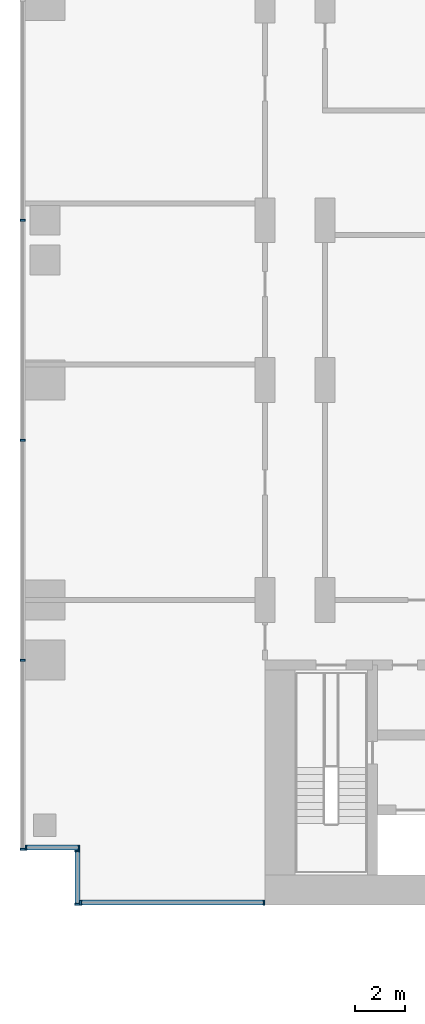
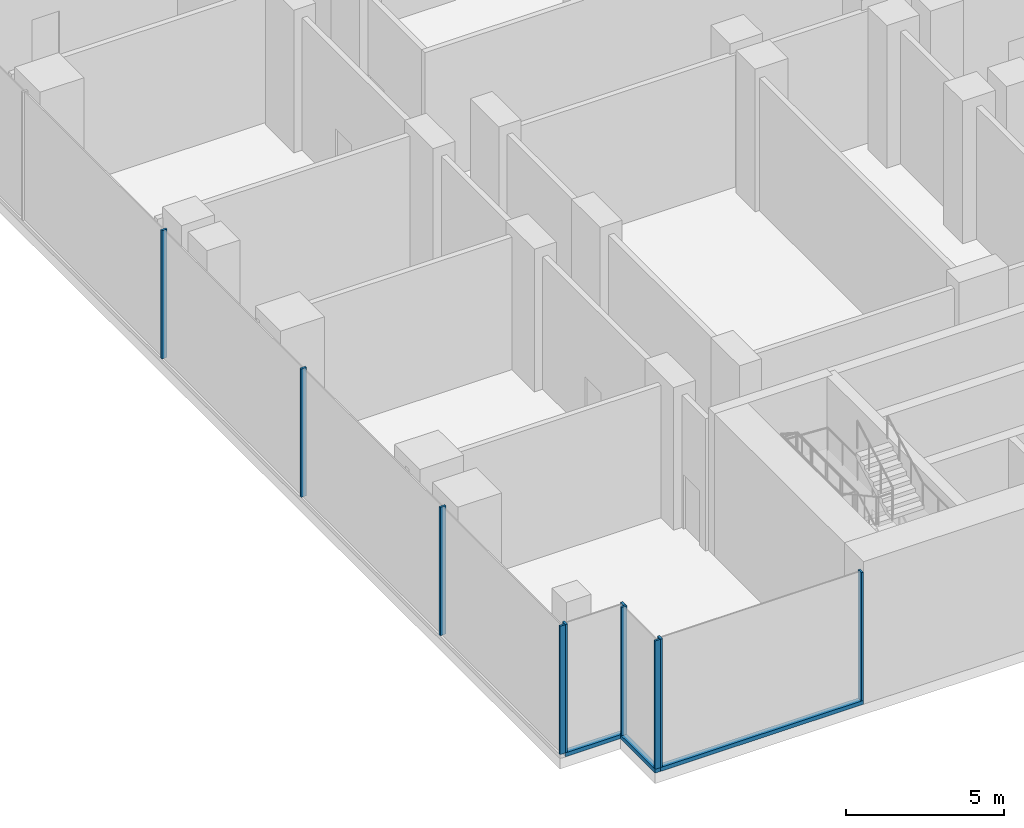
# One storey, part 2 of 30: 13 members, 4 elements without a shape of their own.
"""IFC4 building model written with IfcOpenShell, lengths in metres."""

from ifc_helpers import new_model, si_unit, direction, frame, origin, origin_2d, place, context, subcontext, project, spatial, rectangle, extrude, source, transform, mapped, material, material_profile, profile_set, type_object, element, aggregate, save


model = new_model("IFC4")

# Units and contexts
model_context = context("Model", 3, precision=1e-05, world=origin(), true_north=direction((0.0, 1.0)))
body_context = subcontext(model_context, "Body", "Model", "MODEL_VIEW")
ifc_project = project(units=[si_unit("LENGTHUNIT", "METRE"), si_unit("AREAUNIT", "SQUARE_METRE"), si_unit("VOLUMEUNIT", "CUBIC_METRE"), si_unit("PLANEANGLEUNIT", "RADIAN"), si_unit("MASSUNIT", "GRAM", prefix="KILO")], contexts=[model_context])

# Site, building, storey
site_placement = place(None, origin())
site = spatial("IfcSite", under=ifc_project, at=site_placement, CompositionType="ELEMENT")
building_placement = place(site_placement, origin())
building = spatial("IfcBuilding", under=site, at=building_placement, Name="Kemantara Hotel Tower", CompositionType="ELEMENT")
storey_placement = place(building_placement, frame((0.0, 0.0, 7.5)))
storey = spatial("IfcBuildingStorey", under=building, at=storey_placement, Name="L01", CompositionType="ELEMENT", Elevation=7.5)

# Curtain wall, member
ifc_material_1 = material(Name="Laminated tinted insulated glass 44 mm", Category="glass")
curtain_wall_type = type_object("IfcCurtainWallType", Name="PODIUM GLASS CURTAIN WALL", PredefinedType="USERDEFINED", material=ifc_material_1)
curtain_wall_1_placement = place(storey_placement, origin())
curtain_wall_1 = element("IfcCurtainWall", 1, at=curtain_wall_1_placement, inside=storey, type_object=curtain_wall_type, Name="CW1 L01 POD-R01-1", ObjectType="PODIUM GLASS CURTAIN WALL", PredefinedType="USERDEFINED")
ifc_material_2 = material(Name="Aluminium 6063-T6 bronze anodised", Category="aluminium")
ifc_material_profile_1 = material_profile(ifc_material_2, rectangle(XDim=0.199951171875, YDim=0.14990234375, at=origin_2d()), Name="PODIUM GLASS CURTAIN WALL TRANSOM")
ifc_profile_set_1 = profile_set([ifc_material_profile_1], Name="Aluminium 6063-T6 bronze anodised")
member_type_1 = type_object("IfcMemberType", Name="PODIUM GLASS CURTAIN WALL TRANSOM", PredefinedType="USERDEFINED", material=ifc_profile_set_1)
member_1_placement = place(storey_placement, frame((2.39990234375, 0.10009765625, 0.074951171875), z_axis=(1.0, 0.0, 0.0), x_axis=(0.0, 1.0, 0.0)))
member_1 = element("IfcMember", 2, at=member_1_placement, type_object=member_type_1, Name="CW1 sill transom POD-R01-1", ObjectType="TRANSOM", PredefinedType="USERDEFINED", context=body_context, shape_type="SweptSolid", body=[
    extrude(rectangle(XDim=0.199951171875, YDim=0.14990234375, at=origin_2d()), origin(), (0.0, 0.0, 1.0), 7.400146484375),
])

curtain_wall_2_placement = place(storey_placement, origin())
curtain_wall_2 = element("IfcCurtainWall", 3, at=curtain_wall_2_placement, inside=storey, type_object=curtain_wall_type, Name="CW1 L01 POD-R00-1", ObjectType="PODIUM GLASS CURTAIN WALL", PredefinedType="USERDEFINED")
member_2_placement = place(storey_placement, frame((2.300048828125, 2.199951171875, 0.074951171875), z_axis=(0.0, -1.0, 0.0), x_axis=(1.0, 0.0, 0.0)))
member_2 = element("IfcMember", 4, at=member_2_placement, type_object=member_type_1, Name="CW1 sill transom POD-R00-1", ObjectType="TRANSOM", PredefinedType="USERDEFINED", context=body_context, shape_type="SweptSolid", body=[
    extrude(rectangle(XDim=0.199951171875, YDim=0.14990234375, at=origin_2d()), origin(), (0.0, 0.0, 1.0), 2.199951171875),
])

curtain_wall_3_placement = place(storey_placement, origin())
curtain_wall_3 = element("IfcCurtainWall", 5, at=curtain_wall_3_placement, inside=storey, type_object=curtain_wall_type, Name="CW1 L01 POD-R17-1", ObjectType="PODIUM GLASS CURTAIN WALL", PredefinedType="USERDEFINED")
member_3_placement = place(storey_placement, frame((0.199951171875, 2.300048828125, 0.074951171875), z_axis=(1.0, 0.0, 0.0), x_axis=(0.0, 1.0, 0.0)))
member_3 = element("IfcMember", 6, at=member_3_placement, type_object=member_type_1, Name="CW1 sill transom POD-R17-1", ObjectType="TRANSOM", PredefinedType="USERDEFINED", context=body_context, shape_type="SweptSolid", body=[
    extrude(rectangle(XDim=0.199951171875, YDim=0.14990234375, at=origin_2d()), origin(), (0.0, 0.0, 1.0), 2.199951171875),
])

# Member
ifc_material_profile_2 = material_profile(ifc_material_2, rectangle(XDim=0.199951171875, YDim=0.074951171875, at=origin_2d()), Name="PODIUM GLASS CURTAIN WALL MULLION")
ifc_profile_set_2 = profile_set([ifc_material_profile_2], Name="Aluminium 6063-T6 bronze anodised")
member_type_2 = type_object("IfcMemberType", Name="PODIUM GLASS CURTAIN WALL MULLION", PredefinedType="MULLION", material=ifc_profile_set_2)
shared_shape = source(origin(), body_context, "Body", "SweptSolid", [
    extrude(rectangle(XDim=0.199951171875, YDim=0.074951171875, at=origin_2d()), origin(), (0.0, 0.0, 1.0), 4.9501953125),
])
member_4_placement = place(storey_placement, frame((2.4375, 0.10009765625, 0.14990234375), z_axis=(0.0, 0.0, 1.0), x_axis=(0.0, 1.0, 0.0)))
member_4 = element("IfcMember", 7, at=member_4_placement, type_object=member_type_2, Name="CW1 mullion POD-R01-1.1", PredefinedType="MULLION", context=body_context, shape_type="MappedRepresentation", body=[
    mapped(shared_shape, transform((0.0, 0.0, 0.0))),
])

member_5_placement = place(storey_placement, frame((9.762451171875, 0.10009765625, 0.14990234375), z_axis=(0.0, 0.0, 1.0), x_axis=(0.0, 1.0, 0.0)))
member_5 = element("IfcMember", 8, at=member_5_placement, type_object=member_type_2, Name="CW1 mullion POD-R01-1.2", PredefinedType="MULLION", context=body_context, shape_type="MappedRepresentation", body=[
    mapped(shared_shape, transform((0.0, 0.0, 0.0))),
])

aggregate(curtain_wall_1, [member_1, member_4, member_5])

# Curtain wall, members
curtain_wall_4_placement = place(storey_placement, origin())
curtain_wall_4 = element("IfcCurtainWall", 9, at=curtain_wall_4_placement, inside=storey, type_object=curtain_wall_type, Name="CW1 L01 POD-R16-1", ObjectType="PODIUM GLASS CURTAIN WALL", PredefinedType="USERDEFINED")
member_6_placement = place(storey_placement, frame((0.10009765625, 27.39990234375, 0.14990234375), z_axis=(0.0, 0.0, 1.0), x_axis=(1.0, 0.0, 0.0)))
member_6 = element("IfcMember", 10, at=member_6_placement, type_object=member_type_2, Name="CW1 mullion POD-R16-1.7", PredefinedType="MULLION", context=body_context, shape_type="MappedRepresentation", body=[
    mapped(shared_shape, transform((0.0, 0.0, 0.0))),
])
member_7_placement = place(storey_placement, frame((0.10009765625, 18.60009765625, 0.14990234375), z_axis=(0.0, 0.0, 1.0), x_axis=(1.0, 0.0, 0.0)))
member_7 = element("IfcMember", 11, at=member_7_placement, type_object=member_type_2, Name="CW1 mullion POD-R16-1.8", PredefinedType="MULLION", context=body_context, shape_type="MappedRepresentation", body=[
    mapped(shared_shape, transform((0.0, 0.0, 0.0))),
])
member_8_placement = place(storey_placement, frame((0.10009765625, 9.800048828125, 0.14990234375), z_axis=(0.0, 0.0, 1.0), x_axis=(1.0, 0.0, 0.0)))
member_8 = element("IfcMember", 12, at=member_8_placement, type_object=member_type_2, Name="CW1 mullion POD-R16-1.9", PredefinedType="MULLION", context=body_context, shape_type="MappedRepresentation", body=[
    mapped(shared_shape, transform((0.0, 0.0, 0.0))),
])
member_9_placement = place(storey_placement, frame((0.10009765625, 2.237548828125, 0.14990234375), z_axis=(0.0, 0.0, 1.0), x_axis=(1.0, 0.0, 0.0)))
member_9 = element("IfcMember", 13, at=member_9_placement, type_object=member_type_2, Name="CW1 mullion POD-R16-1.10", PredefinedType="MULLION", context=body_context, shape_type="MappedRepresentation", body=[
    mapped(shared_shape, transform((0.0, 0.0, 0.0))),
])
aggregate(curtain_wall_4, [member_6, member_7, member_8, member_9])

# Member
member_10_placement = place(storey_placement, frame((2.300048828125, 2.16259765625, 0.14990234375), z_axis=(0.0, 0.0, 1.0), x_axis=(1.0, 0.0, 0.0)))
member_10 = element("IfcMember", 14, at=member_10_placement, type_object=member_type_2, Name="CW1 mullion POD-R00-1.1", PredefinedType="MULLION", context=body_context, shape_type="MappedRepresentation", body=[
    mapped(shared_shape, transform((0.0, 0.0, 0.0))),
])

member_11_placement = place(storey_placement, frame((2.300048828125, 0.03759765625, 0.14990234375), z_axis=(0.0, 0.0, 1.0), x_axis=(1.0, 0.0, 0.0)))
member_11 = element("IfcMember", 15, at=member_11_placement, type_object=member_type_2, Name="CW1 mullion POD-R00-1.2", PredefinedType="MULLION", context=body_context, shape_type="MappedRepresentation", body=[
    mapped(shared_shape, transform((0.0, 0.0, 0.0))),
])

aggregate(curtain_wall_2, [member_2, member_10, member_11])

member_12_placement = place(storey_placement, frame((0.237548828125, 2.300048828125, 0.14990234375), z_axis=(0.0, 0.0, 1.0), x_axis=(0.0, 1.0, 0.0)))
member_12 = element("IfcMember", 16, at=member_12_placement, type_object=member_type_2, Name="CW1 mullion POD-R17-1.1", PredefinedType="MULLION", context=body_context, shape_type="MappedRepresentation", body=[
    mapped(shared_shape, transform((0.0, 0.0, 0.0))),
])

member_13_placement = place(storey_placement, frame((2.362548828125, 2.300048828125, 0.14990234375), z_axis=(0.0, 0.0, 1.0), x_axis=(0.0, 1.0, 0.0)))
member_13 = element("IfcMember", 17, at=member_13_placement, type_object=member_type_2, Name="CW1 mullion POD-R17-1.2", PredefinedType="MULLION", context=body_context, shape_type="MappedRepresentation", body=[
    mapped(shared_shape, transform((0.0, 0.0, 0.0))),
])

aggregate(curtain_wall_3, [member_3, member_12, member_13])

save(model, "model.ifc")
